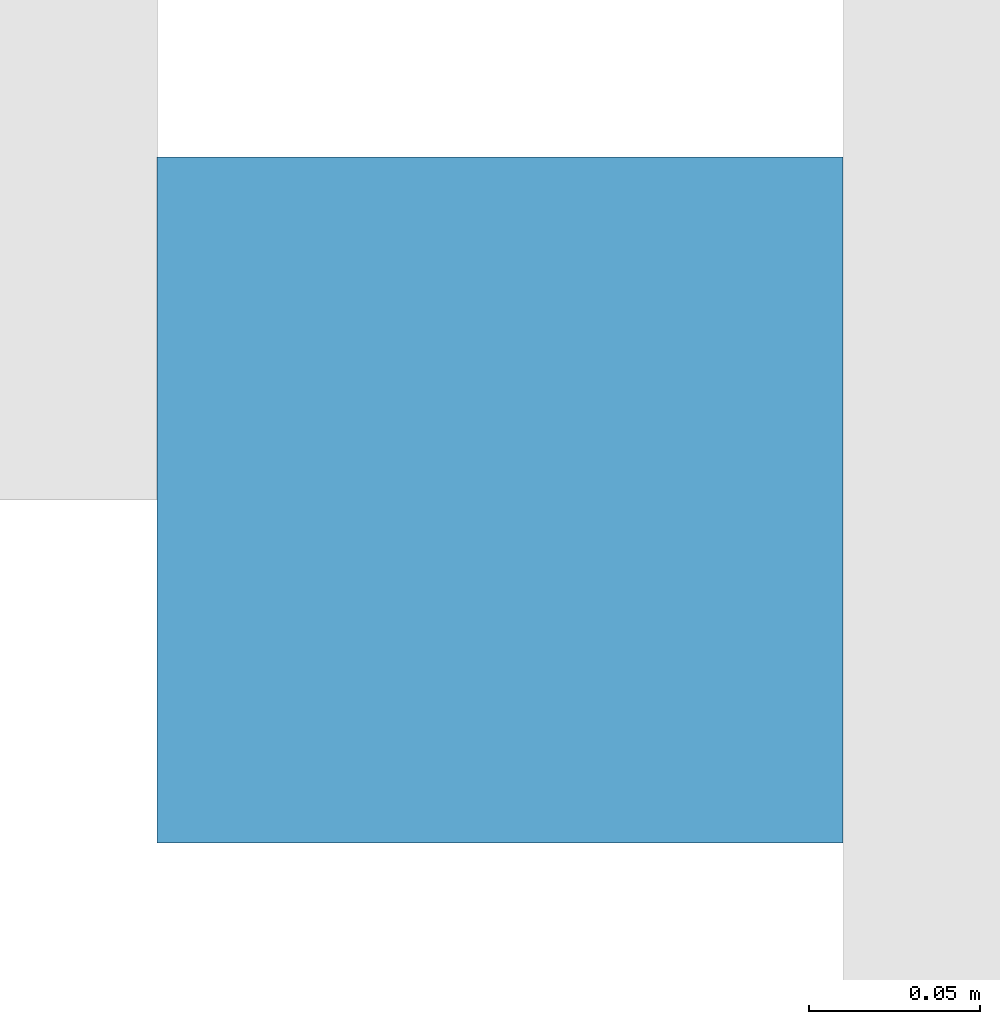
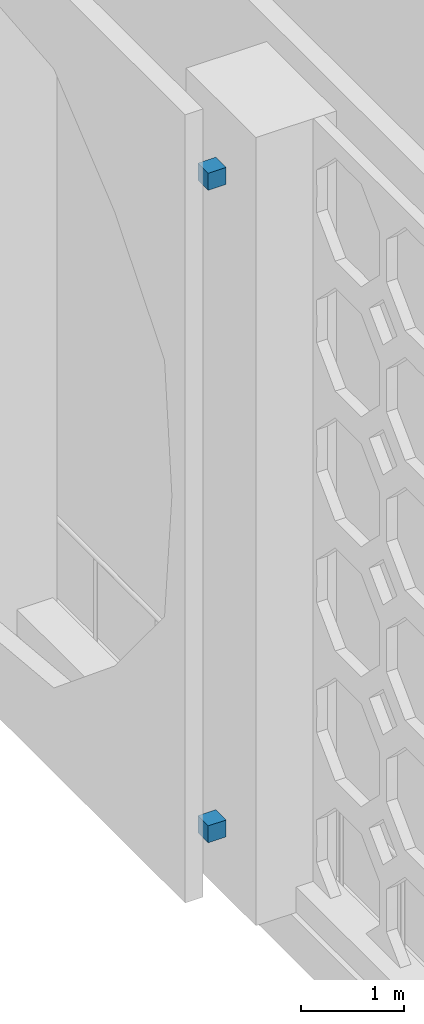
# One storey, part 18 of 28: 2 discrete accessories.
"""IFC4 building model written with IfcOpenShell, lengths in metres."""

from ifc_helpers import new_model, si_unit, direction, frame, origin, origin_2d, place, context, subcontext, project, spatial, rectangle, extrude, element, save


model = new_model("IFC4")

# Units and contexts
model_context = context("Model", 3, precision=1e-05, world=origin(), true_north=direction((0.0, 1.0)))
body_context = subcontext(model_context, "Body", "Model", "MODEL_VIEW")
ifc_project = project(units=[si_unit("LENGTHUNIT", "METRE"), si_unit("AREAUNIT", "SQUARE_METRE"), si_unit("VOLUMEUNIT", "CUBIC_METRE"), si_unit("PLANEANGLEUNIT", "RADIAN"), si_unit("MASSUNIT", "GRAM", prefix="KILO")], contexts=[model_context])

# Site, building, storey
site_placement = place(None, origin())
site = spatial("IfcSite", under=ifc_project, at=site_placement, CompositionType="ELEMENT")
building_placement = place(site_placement, origin())
building = spatial("IfcBuilding", under=site, at=building_placement, Name="Tabaq Tower and Sports Hall", CompositionType="ELEMENT")
storey_placement = place(building_placement, frame((0.0, 0.0, 233.5)))
storey = spatial("IfcBuildingStorey", under=building, at=storey_placement, Name="L59", CompositionType="ELEMENT", Elevation=233.5)

# Discrete accessories
for number, where, z_axis, x_axis, name in (
    (1, (-0.550048828125, 21.60009765625, 0.7001953125), (0.0, 0.0, 1.0), (1.0, 0.0, 0.0), "Stainless steel bracket"),
    (2, (-0.550048828125, 21.60009765625, 8.39990234375), (0.0, 0.0, 1.0), (1.0, 0.0, 0.0), "Stainless steel bracket"),
):
    element("IfcDiscreteAccessory", number, at=place(storey_placement, frame(where, z_axis=z_axis, x_axis=x_axis)), inside=storey, Name=name, PredefinedType="BRACKET", context=body_context, shape_type="SweptSolid", body=[
        extrude(rectangle(XDim=0.199951171875, YDim=0.199951171875, at=origin_2d()), origin(), (0.0, 0.0, 1.0), 0.199951171875),
    ])

save(model, "model.ifc")
